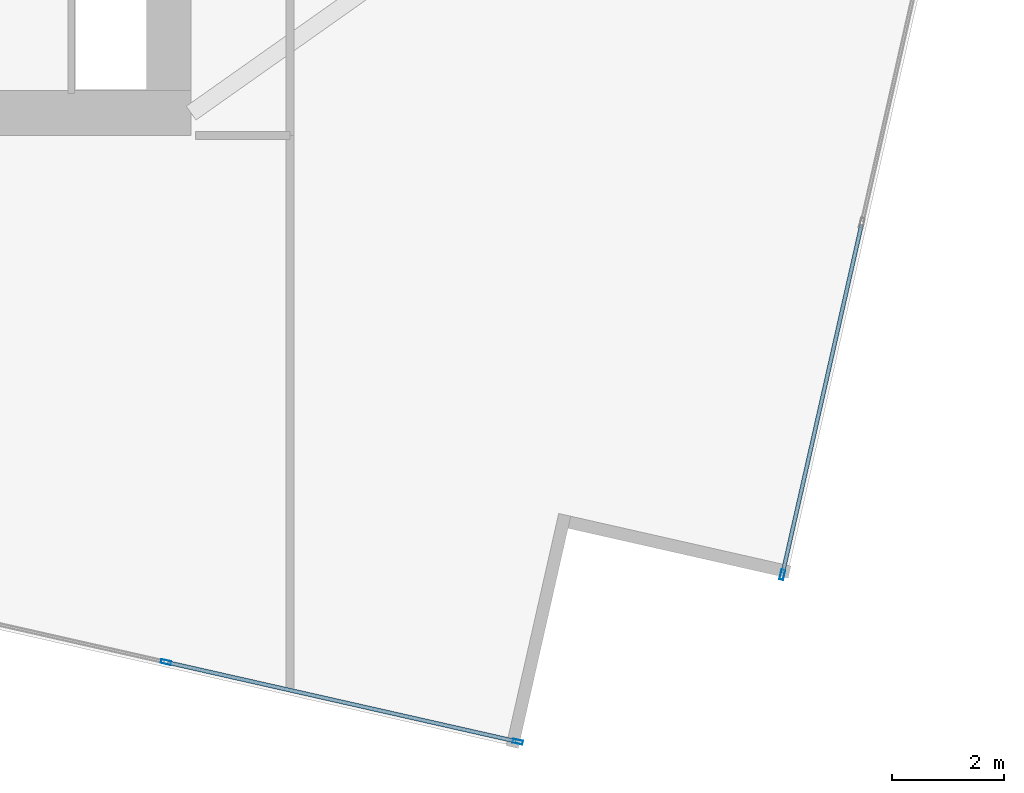
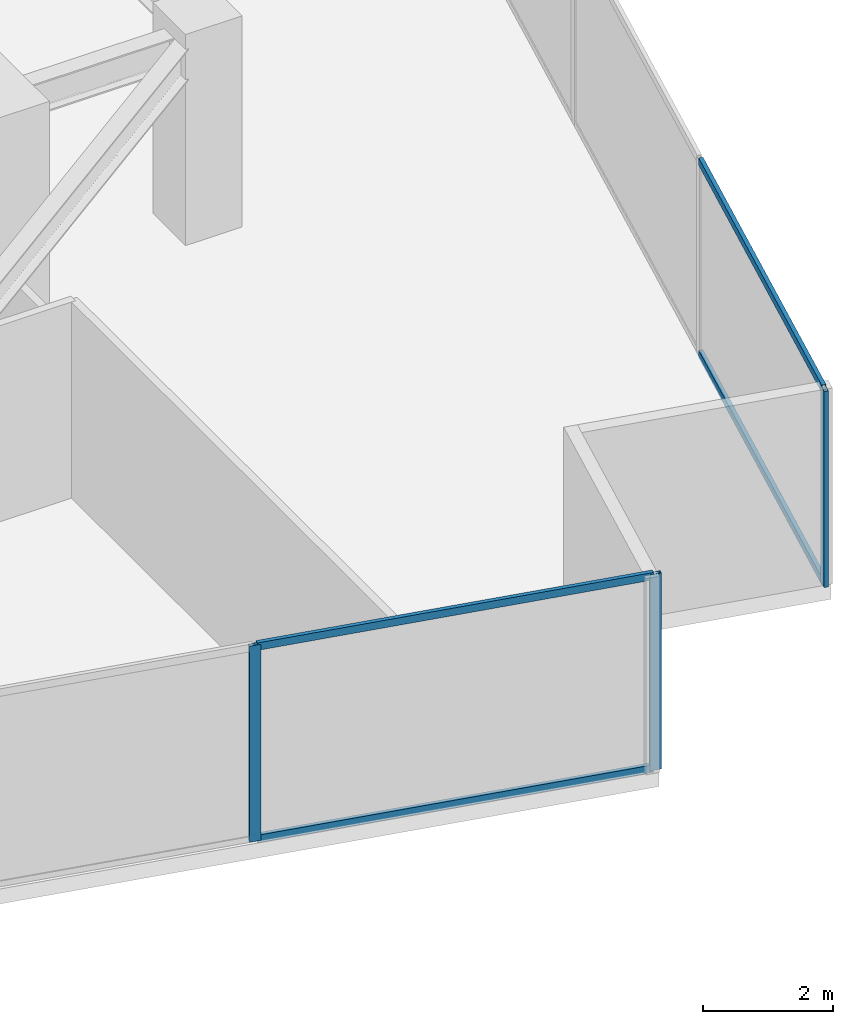
# One storey, part 10 of 26: 7 members, 2 elements without a shape of their own.
"""IFC4 building model written with IfcOpenShell, lengths in metres."""

from ifc_helpers import new_model, si_unit, direction, frame, origin, origin_2d, place, context, subcontext, project, spatial, hollow_rectangle, extrude, source, transform, mapped, material, material_profile, profile_set, type_object, type_shapes, element, aggregate, save


model = new_model("IFC4")

# Units and contexts
model_context = context("Model", 3, precision=1e-05, world=origin(), true_north=direction((0.0, 1.0)))
body_context = subcontext(model_context, "Body", "Model", "MODEL_VIEW")
ifc_project = project(units=[si_unit("LENGTHUNIT", "METRE"), si_unit("AREAUNIT", "SQUARE_METRE"), si_unit("VOLUMEUNIT", "CUBIC_METRE"), si_unit("PLANEANGLEUNIT", "RADIAN"), si_unit("MASSUNIT", "GRAM", prefix="KILO")], contexts=[model_context])

# Site, building, storey
site_placement = place(None, origin())
site = spatial("IfcSite", under=ifc_project, at=site_placement, CompositionType="ELEMENT")
building_placement = place(site_placement, origin())
building = spatial("IfcBuilding", under=site, at=building_placement, Name="Krantzveldt Concourse Tower", CompositionType="ELEMENT")
storey_placement = place(building_placement, frame((0.0, 0.0, 90.050048828125)))
storey = spatial("IfcBuildingStorey", under=building, at=storey_placement, Name="L21", CompositionType="ELEMENT", Elevation=90.050048828125)

# Curtain wall, members
ifc_material = material(Name="Anodised aluminium 6063-T6", Category="aluminium")
curtain_wall_type = type_object("IfcCurtainWallType", Name="CW2", PredefinedType="USERDEFINED", material=ifc_material)
curtain_wall_1_placement = place(storey_placement, origin())
curtain_wall_1 = element("IfcCurtainWall", 1, at=curtain_wall_1_placement, inside=storey, type_object=curtain_wall_type, Name="CW-L21-F04", ObjectType="UNITISED CURTAIN WALL", PredefinedType="USERDEFINED")
ifc_material_profile_1 = material_profile(ifc_material, hollow_rectangle(XDim=0.070068359375, YDim=0.179931640625, WallThickness=0.0048828125, at=origin_2d()), Name="Anodised aluminium 6063-T6", Category="aluminium")
ifc_profile_set_1 = profile_set([ifc_material_profile_1], Name="Anodised aluminium 6063-T6 - ALU-MULL 180x70x5")
member_type_1 = type_object("IfcMemberType", Name="CW-MUL-180", PredefinedType="MULLION", material=ifc_profile_set_1)
shared_shape_1 = source(origin(), body_context, "Body", "SweptSolid", [
    extrude(hollow_rectangle(XDim=0.070068359375, YDim=0.179931640625, WallThickness=0.0048828125, at=origin_2d()), origin(), (0.0, 0.0, 1.0), 3.669921875),
])
type_shapes(member_type_1, [shared_shape_1])
member_1_placement = place(storey_placement, frame((43.469970703125, 1.1103515625, 0.0), z_axis=(0.0, 0.0, 1.0), x_axis=(0.220697434579, 0.975342320609, 0.0)))
member_1 = element("IfcMember", 2, at=member_1_placement, type_object=member_type_1, Name="CW-Z12 mullion 6", PredefinedType="MULLION", context=body_context, shape_type="MappedRepresentation", body=[
    mapped(shared_shape_1, transform((0.0, 0.0, 0.0), x_axis=(1.0, 0.0, 0.0), y_axis=(0.0, 1.0, 0.0), z_axis=(0.0, 0.0, 1.0), scale=1.0)),
])
member_2_placement = place(storey_placement, frame((49.7431640625, -0.30908203125, 0.0), z_axis=(0.0, 0.0, 1.0), x_axis=(0.220697434579, 0.975342320609, 0.0)))
member_2 = element("IfcMember", 3, at=member_2_placement, type_object=member_type_1, Name="CW-Z12 mullion 7", PredefinedType="MULLION", context=body_context, shape_type="MappedRepresentation", body=[
    mapped(shared_shape_1, transform((0.0, 0.0, 0.0), x_axis=(1.0, 0.0, 0.0), y_axis=(0.0, 1.0, 0.0), z_axis=(0.0, 0.0, 1.0), scale=1.0)),
])

curtain_wall_2_placement = place(storey_placement, origin())
curtain_wall_2 = element("IfcCurtainWall", 4, at=curtain_wall_2_placement, inside=storey, type_object=curtain_wall_type, Name="CW-L21-F07", ObjectType="UNITISED CURTAIN WALL", PredefinedType="USERDEFINED")
member_3_placement = place(storey_placement, frame((54.46142578125, 2.66796875, 0.0), z_axis=(0.0, 0.0, 1.0), x_axis=(-0.975342320609, 0.220697434579, 0.0)))
member_3 = element("IfcMember", 5, at=member_3_placement, type_object=member_type_1, Name="CW-Z12 mullion 1", PredefinedType="MULLION", context=body_context, shape_type="MappedRepresentation", body=[
    mapped(shared_shape_1, transform((0.0, 0.0, 0.0), x_axis=(1.0, 0.0, 0.0), y_axis=(0.0, 1.0, 0.0), z_axis=(0.0, 0.0, 1.0), scale=1.0)),
])
ifc_material_profile_2 = material_profile(ifc_material, hollow_rectangle(XDim=0.070068359375, YDim=0.139892578125, WallThickness=0.0048828125, at=origin_2d()), Name="Anodised aluminium 6063-T6", Category="aluminium")
ifc_profile_set_2 = profile_set([ifc_material_profile_2], Name="Anodised aluminium 6063-T6 - ALU-TRAN 140x70x5")
member_type_2 = type_object("IfcMemberType", Name="CW-TRN-150", PredefinedType="USERDEFINED", material=ifc_profile_set_2)
shared_shape_2 = source(origin(), body_context, "Body", "SweptSolid", [
    extrude(hollow_rectangle(XDim=0.070068359375, YDim=0.139892578125, WallThickness=0.0048828125, at=origin_2d()), origin(), (0.0, 0.0, 1.0), 6.361572265625),
])
member_4_placement = place(storey_placement, frame((54.46923828125, 2.7021484375, 0.034912109375), z_axis=(0.220667229594, 0.975349154807, 0.0), x_axis=(-0.975349154807, 0.220667229594, 0.0)))
member_4 = element("IfcMember", 6, at=member_4_placement, type_object=member_type_2, Name="CW-Z12 transom 1.1", ObjectType="TRANSOM", PredefinedType="USERDEFINED", context=body_context, shape_type="MappedRepresentation", body=[
    mapped(shared_shape_2, transform((0.0, 0.0, 0.0), x_axis=(1.0, 0.0, 0.0), y_axis=(0.0, 1.0, 0.0), z_axis=(0.0, 0.0, 1.0), scale=1.0)),
])
member_5_placement = place(storey_placement, frame((54.46923828125, 2.7021484375, 3.635009765625), z_axis=(0.220667229594, 0.975349154807, 0.0), x_axis=(-0.975349154807, 0.220667229594, 0.0)))
member_5 = element("IfcMember", 7, at=member_5_placement, type_object=member_type_2, Name="CW-Z12 transom 1.2", ObjectType="TRANSOM", PredefinedType="USERDEFINED", context=body_context, shape_type="MappedRepresentation", body=[
    mapped(shared_shape_2, transform((0.0, 0.0, 0.0), x_axis=(1.0, 0.0, 0.0), y_axis=(0.0, 1.0, 0.0), z_axis=(0.0, 0.0, 1.0), scale=1.0)),
])
aggregate(curtain_wall_2, [member_3, member_4, member_5])

# Member
shared_shape_3 = source(origin(), body_context, "Body", "SweptSolid", [
    extrude(hollow_rectangle(XDim=0.070068359375, YDim=0.139892578125, WallThickness=0.0048828125, at=origin_2d()), origin(), (0.0, 0.0, 1.0), 6.36181640625),
])
type_shapes(member_type_2, [shared_shape_2, shared_shape_3])
member_6_placement = place(storey_placement, frame((43.504150390625, 1.102783203125, 0.034912109375), z_axis=(0.975340894424, -0.220703737314, 0.0), x_axis=(0.220703737314, 0.975340894424, 0.0)))
member_6 = element("IfcMember", 8, at=member_6_placement, type_object=member_type_2, Name="CW-Z12 transom 6.1", ObjectType="TRANSOM", PredefinedType="USERDEFINED", context=body_context, shape_type="MappedRepresentation", body=[
    mapped(shared_shape_3, transform((0.0, 0.0, 0.0), x_axis=(1.0, 0.0, 0.0), y_axis=(0.0, 1.0, 0.0), z_axis=(0.0, 0.0, 1.0), scale=1.0)),
])

member_7_placement = place(storey_placement, frame((43.504150390625, 1.102783203125, 3.635009765625), z_axis=(0.975340894424, -0.220703737314, 0.0), x_axis=(0.220703737314, 0.975340894424, 0.0)))
member_7 = element("IfcMember", 9, at=member_7_placement, type_object=member_type_2, Name="CW-Z12 transom 6.2", ObjectType="TRANSOM", PredefinedType="USERDEFINED", context=body_context, shape_type="MappedRepresentation", body=[
    mapped(shared_shape_3, transform((0.0, 0.0, 0.0), x_axis=(1.0, 0.0, 0.0), y_axis=(0.0, 1.0, 0.0), z_axis=(0.0, 0.0, 1.0), scale=1.0)),
])

aggregate(curtain_wall_1, [member_1, member_2, member_6, member_7])

save(model, "model.ifc")
